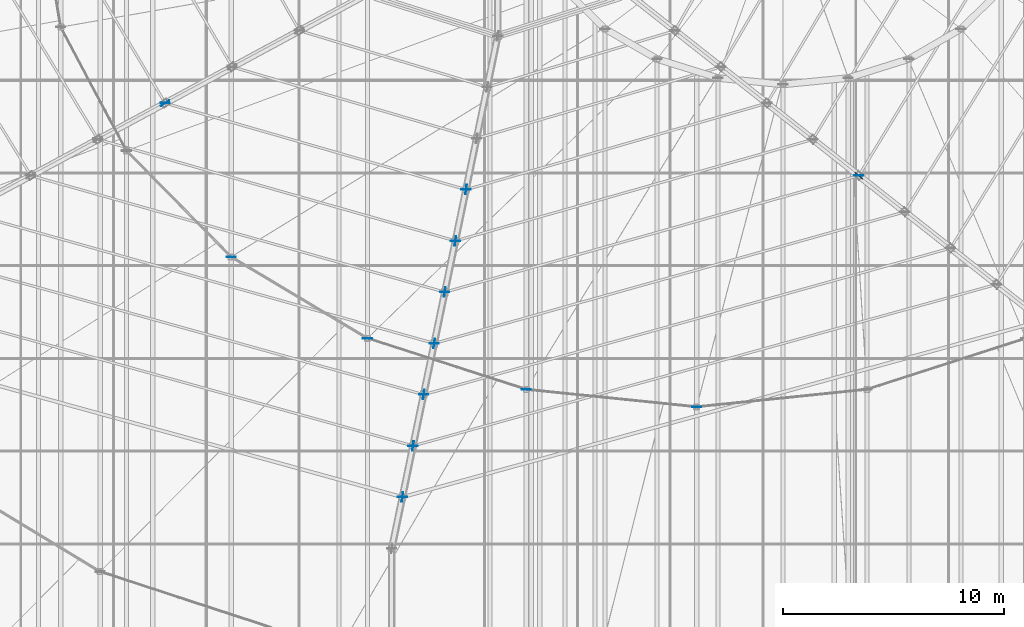
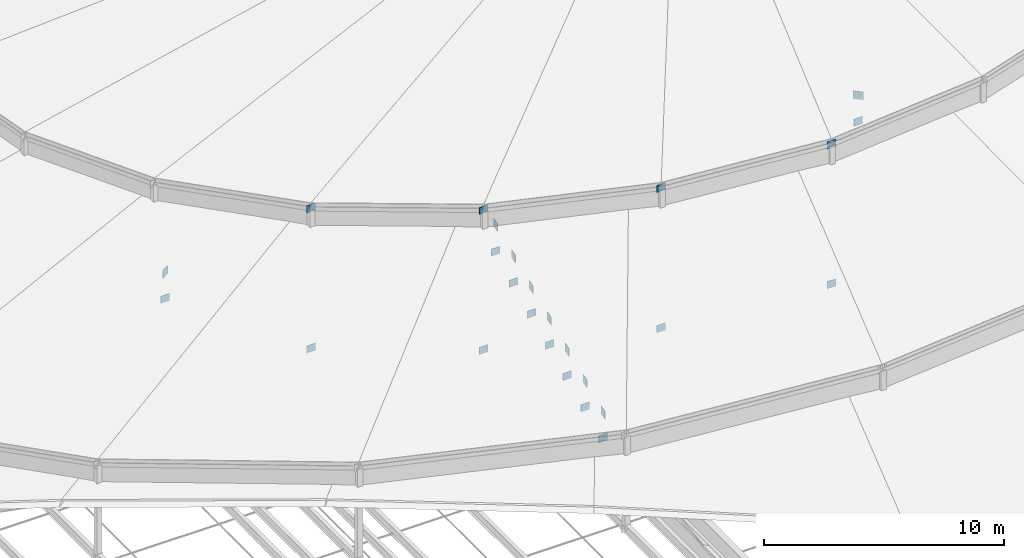
# One storey, part 166 of 184: 26 plates.
"""IFC4 building model written with IfcOpenShell, lengths in metres."""

from ifc_helpers import new_model, si_unit, direction, frame, origin, origin_2d, place, context, subcontext, project, spatial, rectangle, extrude, material, layer, layer_set, type_object, element, save


model = new_model("IFC4")

# Units and contexts
model_context = context("Model", 3, precision=1e-05, world=origin(), true_north=direction((0.0, 1.0)))
body_context = subcontext(model_context, "Body", "Model", "MODEL_VIEW")
ifc_project = project(units=[si_unit("LENGTHUNIT", "METRE"), si_unit("AREAUNIT", "SQUARE_METRE"), si_unit("VOLUMEUNIT", "CUBIC_METRE"), si_unit("PLANEANGLEUNIT", "RADIAN"), si_unit("MASSUNIT", "GRAM", prefix="KILO")], contexts=[model_context])

# Site, building, storey
site_placement = place(None, origin())
site = spatial("IfcSite", under=ifc_project, at=site_placement, CompositionType="ELEMENT")
building_placement = place(site_placement, origin())
building = spatial("IfcBuilding", under=site, at=building_placement, Name="Kalgoora Escarpment Arena", CompositionType="ELEMENT")
storey_placement = place(building_placement, frame((0.0, 0.0, 27.60009765625)))
storey = spatial("IfcBuildingStorey", under=building, at=storey_placement, Name="Roof Level", CompositionType="ELEMENT", Elevation=27.60009765625)

# Plates
ifc_material = material(Name="Structural steel Grade 350 (350 MPa)", Category="steel")
ifc_layer = layer(ifc_material, 0.02490234375)
ifc_layer_set = layer_set([ifc_layer], Name="PLT-GUSSET-25")
plate_type = type_object("IfcPlateType", Name="PLT-GUSSET-25", PredefinedType="USERDEFINED", material=ifc_layer_set)
for number, where, z_axis, x_axis, name in (
    (1, (82.14111328125, 54.552978515625, -0.47998046875), (0.0, 0.0, 1.0), (0.84179353575, 0.539799632428, 0.0), "Radial ROOF TRUSS node gusset plate S6-8"),
    (2, (92.8798828125, 36.719970703125, -0.5400390625), (0.0, 0.0, 1.0), (0.141419587774, 0.989949746297, 0.0), "Radial ROOF TRUSS node gusset plate S7-2"),
    (3, (93.360107421875, 39.0400390625, -0.530029296875), (0.0, 0.0, 1.0), (0.141419587774, 0.989949746297, 0.0), "Radial ROOF TRUSS node gusset plate S7-3"),
    (4, (93.840087890625, 41.360107421875, -0.52001953125), (0.0, 0.0, 1.0), (0.141419587774, 0.989949746297, 0.0), "Radial ROOF TRUSS node gusset plate S7-4"),
    (5, (94.320068359375, 43.679931640625, -0.510009765625), (0.0, 0.0, 1.0), (0.141419587774, 0.989949746297, 0.0), "Radial ROOF TRUSS node gusset plate S7-5"),
    (6, (94.800048828125, 46.0, -0.5), (0.0, 0.0, 1.0), (0.141419587774, 0.989949746297, 0.0), "Radial ROOF TRUSS node gusset plate S7-6"),
    (7, (95.280029296875, 48.320068359375, -0.489990234375), (0.0, 0.0, 1.0), (0.141419587774, 0.989949746297, 0.0), "Radial ROOF TRUSS node gusset plate S7-7"),
    (8, (95.760009765625, 50.639892578125, -0.47998046875), (0.0, 0.0, 1.0), (0.141419587774, 0.989949746297, 0.0), "Radial ROOF TRUSS node gusset plate S7-8"),
    (9, (113.538330078125, 51.272216796875, -0.5), (0.0, 0.0, 1.0), (-0.756081970773, 0.6544769312, 0.0), "Radial ROOF TRUSS node gusset plate S8-6"),
):
    element("IfcPlate", number, at=place(storey_placement, frame(where, z_axis=z_axis, x_axis=x_axis)), inside=storey, type_object=plate_type, Name=name, ObjectType="FLANGE PLATE", PredefinedType="USERDEFINED", context=body_context, shape_type="SweptSolid", body=[
        extrude(rectangle(XDim=0.43994140625, YDim=0.02490234375, at=origin_2d()), origin(), (0.0, 0.0, 1.0), 0.39990234375),
    ])
for number, where, z_axis, x_axis, name in (
    (10, (82.14111328125, 54.552978515625, -1.794921875), (0.0, 0.0, 1.0), (1.0, 0.0, 0.0), "Brace and post end gusset plate 130"),
    (11, (92.8798828125, 36.719970703125, -1.8251953125), (0.0, 0.0, 1.0), (1.0, 0.0, 0.0), "Brace and post end gusset plate 135"),
    (12, (93.360107421875, 39.0400390625, -1.8203125), (0.0, 0.0, 1.0), (1.0, 0.0, 0.0), "Brace and post end gusset plate 136"),
    (13, (93.840087890625, 41.360107421875, -1.81494140625), (0.0, 0.0, 1.0), (1.0, 0.0, 0.0), "Brace and post end gusset plate 137"),
    (14, (94.320068359375, 43.679931640625, -1.81005859375), (0.0, 0.0, 1.0), (1.0, 0.0, 0.0), "Brace and post end gusset plate 138"),
    (15, (94.800048828125, 46.0, -1.80517578125), (0.0, 0.0, 1.0), (1.0, 0.0, 0.0), "Brace and post end gusset plate 139"),
    (16, (95.280029296875, 48.320068359375, -1.80029296875), (0.0, 0.0, 1.0), (1.0, 0.0, 0.0), "Brace and post end gusset plate 140"),
    (17, (95.760009765625, 50.639892578125, -1.794921875), (0.0, 0.0, 1.0), (1.0, 0.0, 0.0), "Brace and post end gusset plate 141"),
    (18, (113.538330078125, 51.272216796875, -1.80517578125), (0.0, 0.0, 1.0), (1.0, 0.0, 0.0), "Brace and post end gusset plate 150"),
    (19, (85.128173828125, 47.59521484375, -1.14013671875), (0.0, 0.0, 1.0), (1.0, 0.0, 0.0), "Brace and post end gusset plate 304"),
    (20, (85.128173828125, 47.59521484375, 5.96484375), (0.0, 0.0, 1.0), (1.0, 0.0, 0.0), "Brace and post end gusset plate 305"),
    (21, (91.300048828125, 43.908203125, -1.14013671875), (0.0, 0.0, 1.0), (1.0, 0.0, 0.0), "Brace and post end gusset plate 306"),
    (22, (91.300048828125, 43.908203125, 5.96484375), (0.0, 0.0, 1.0), (1.0, 0.0, 0.0), "Brace and post end gusset plate 307"),
    (23, (98.4873046875, 41.590576171875, -1.14013671875), (0.0, 0.0, 1.0), (1.0, 0.0, 0.0), "Brace and post end gusset plate 308"),
    (24, (98.4873046875, 41.590576171875, 5.96484375), (0.0, 0.0, 1.0), (1.0, 0.0, 0.0), "Brace and post end gusset plate 309"),
    (25, (106.199951171875, 40.800048828125, -1.14013671875), (0.0, 0.0, 1.0), (1.0, 0.0, 0.0), "Brace and post end gusset plate 310"),
    (26, (106.199951171875, 40.800048828125, 5.96484375), (0.0, 0.0, 1.0), (1.0, 0.0, 0.0), "Brace and post end gusset plate 311"),
):
    element("IfcPlate", number, at=place(storey_placement, frame(where, z_axis=z_axis, x_axis=x_axis)), inside=storey, type_object=plate_type, Name=name, ObjectType="FLANGE PLATE", PredefinedType="USERDEFINED", context=body_context, shape_type="SweptSolid", body=[
        extrude(rectangle(XDim=0.419921875, YDim=0.02490234375, at=origin_2d()), origin(), (0.0, 0.0, 1.0), 0.360107421875),
    ])

save(model, "model.ifc")
